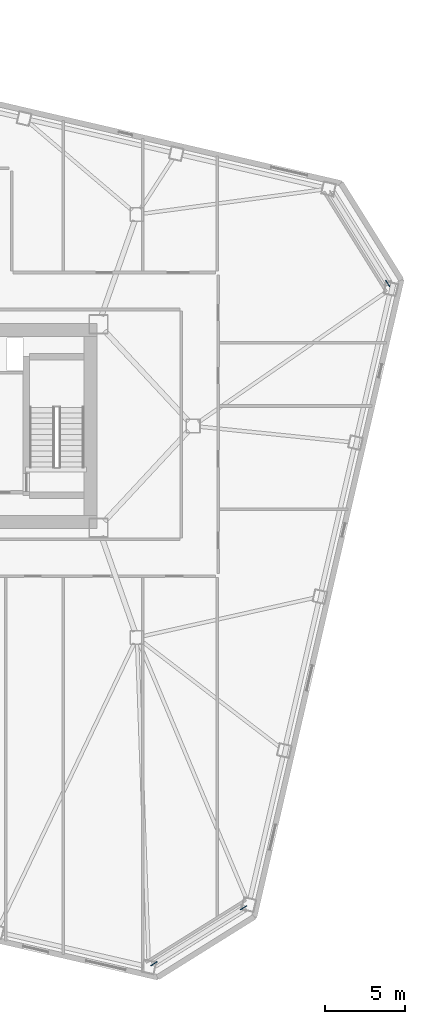
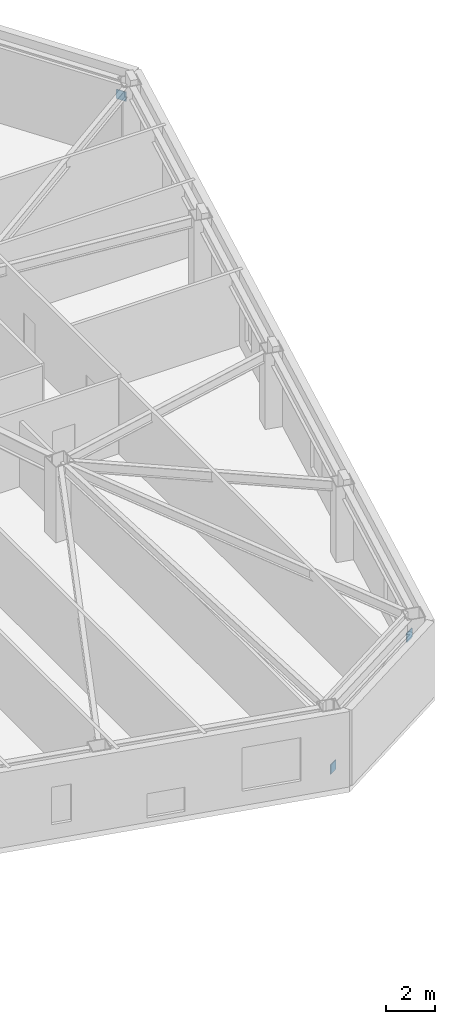
# One storey, part 19 of 21: 3 discrete accessories.
"""IFC4 building model written with IfcOpenShell, lengths in metres."""

from ifc_helpers import new_model, si_unit, direction, frame, origin, origin_2d, place, context, subcontext, project, spatial, rectangle, extrude, material, type_object, element, save


model = new_model("IFC4")

# Units and contexts
model_context = context("Model", 3, precision=1e-05, world=origin(), true_north=direction((0.0, 1.0)))
body_context = subcontext(model_context, "Body", "Model", "MODEL_VIEW")
ifc_project = project(units=[si_unit("LENGTHUNIT", "METRE"), si_unit("AREAUNIT", "SQUARE_METRE"), si_unit("VOLUMEUNIT", "CUBIC_METRE"), si_unit("PLANEANGLEUNIT", "RADIAN"), si_unit("MASSUNIT", "GRAM", prefix="KILO")], contexts=[model_context])

# Site, building, storey
site_placement = place(None, origin())
site = spatial("IfcSite", under=ifc_project, at=site_placement, CompositionType="ELEMENT")
building_placement = place(site_placement, origin())
building = spatial("IfcBuilding", under=site, at=building_placement, Name="Tavrogorsk Clinical Tower", CompositionType="ELEMENT")
storey_placement = place(building_placement, frame((0.0, 0.0, 43.39990234375)))
storey = spatial("IfcBuildingStorey", under=building, at=storey_placement, Name="L08", CompositionType="ELEMENT", Elevation=43.39990234375)

# Discrete accessories
ifc_material = material(Name="Structural steel S440", Category="steel")
discrete_accessory_type = type_object("IfcDiscreteAccessoryType", Name="GussetPlateBracket_25", PredefinedType="BRACKET", material=ifc_material)
for number, where, z_axis, x_axis, name in (
    (1, (25.56396484375, -33.553955078125, 0.212646484375), (0.0, 0.0, 1.0), (0.848048096156, 0.529919264233, 0.0), "L08 Brace Gusset Plate EXOCRN-L08-1-A"),
    (2, (31.15185546875, -30.062255859375, 2.667724609375), (0.0, 0.0, 1.0), (0.848048096156, 0.529919264233, 0.0), "L08 Brace Gusset Plate EXOCRN-L08-1-B"),
    (3, (40.145751953125, 8.893798828125, 2.667724609375), (0.0, 0.0, 1.0), (0.529919264233, -0.848048096156, 0.0), "L08 Brace Gusset Plate EXOCRN-L08-2-B"),
):
    element("IfcDiscreteAccessory", number, at=place(storey_placement, frame(where, z_axis=z_axis, x_axis=x_axis)), inside=storey, type_object=discrete_accessory_type, Name=name, PredefinedType="BRACKET", context=body_context, shape_type="SweptSolid", body=[
        extrude(rectangle(XDim=0.4599609375, YDim=0.0400390625, at=origin_2d()), origin(), (0.0, 0.0, 1.0), 0.4599609375),
    ])

save(model, "model.ifc")
